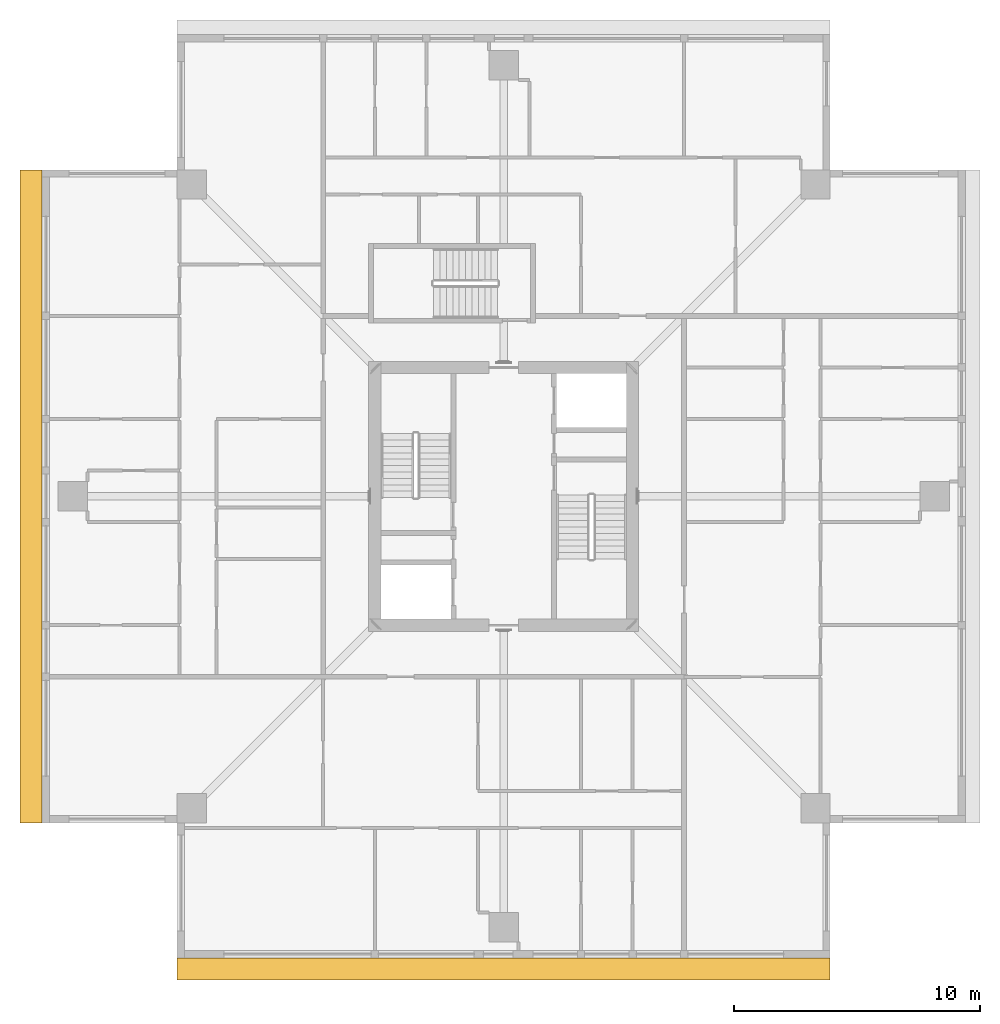
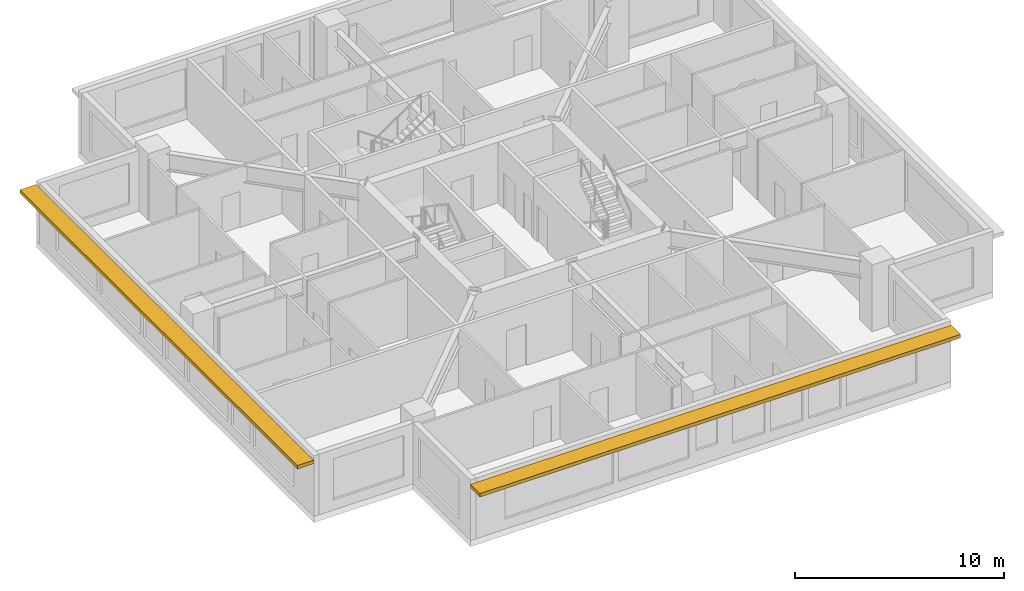
# One storey, part 9 of 11: 2 shading devices.
"""IFC4 building model written with IfcOpenShell, lengths in metres."""

from ifc_helpers import new_model, si_unit, direction, frame, origin, place, context, subcontext, project, spatial, polyline, outline, extrude, material, layer, layer_set, type_object, element, save


model = new_model("IFC4")

# Units and contexts
model_context = context("Model", 3, precision=1e-05, world=origin(), true_north=direction((0.0, 1.0)))
body_context = subcontext(model_context, "Body", "Model", "MODEL_VIEW")
ifc_project = project(units=[si_unit("LENGTHUNIT", "METRE"), si_unit("AREAUNIT", "SQUARE_METRE"), si_unit("VOLUMEUNIT", "CUBIC_METRE"), si_unit("PLANEANGLEUNIT", "RADIAN"), si_unit("MASSUNIT", "GRAM", prefix="KILO")], contexts=[model_context])

# Site, building, storey
site_placement = place(None, origin())
site = spatial("IfcSite", under=ifc_project, at=site_placement, CompositionType="ELEMENT")
building_placement = place(site_placement, origin())
building = spatial("IfcBuilding", under=site, at=building_placement, Name="Khepri Terraces", CompositionType="ELEMENT")
storey_placement = place(building_placement, frame((0.0, 0.0, 308.39990234375)))
storey = spatial("IfcBuildingStorey", under=building, at=storey_placement, Name="L74", CompositionType="ELEMENT", Elevation=308.39990234375)

# Shading devices
ifc_material = material(Name="Precast concrete C50/60 warm stone", Category="masonry")
ifc_layer = layer(ifc_material, 0.199951171875, Name="Precast concrete C50/60 warm stone", Category="masonry")
ifc_layer_set = layer_set([ifc_layer], Name="Precast concrete C50/60 warm stone")
shading_device_type = type_object("IfcShadingDeviceType", Name="SSH-BAND-STONE-200", PredefinedType="USERDEFINED", material=ifc_layer_set)
shading_device_1_placement = place(storey_placement, frame((0.0, 0.0, 3.10009765625)))
element("IfcShadingDevice", 1, at=shading_device_1_placement, inside=storey, type_object=shading_device_type, Name="Sunshade band L74 S", ObjectType="SUNSHADE", PredefinedType="USERDEFINED", context=body_context, shape_type="SweptSolid", body=[
    extrude(outline(polyline([(13.300048828125, -18.800048828125), (-13.300048828125, -18.800048828125), (-13.300048828125, -19.699951171875), (13.300048828125, -19.699951171875), (13.300048828125, -18.800048828125)])), origin(), (0.0, 0.0, 1.0), 0.199951171875),
])
shading_device_2_placement = place(storey_placement, frame((0.0, 0.0, 3.10009765625)))
element("IfcShadingDevice", 2, at=shading_device_2_placement, inside=storey, type_object=shading_device_type, Name="Sunshade band L74 W", ObjectType="SUNSHADE", PredefinedType="USERDEFINED", context=body_context, shape_type="SweptSolid", body=[
    extrude(outline(polyline([(-18.800048828125, -13.300048828125), (-18.800048828125, 13.300048828125), (-19.699951171875, 13.300048828125), (-19.699951171875, -13.300048828125), (-18.800048828125, -13.300048828125)])), origin(), (0.0, 0.0, 1.0), 0.199951171875),
])

save(model, "model.ifc")
